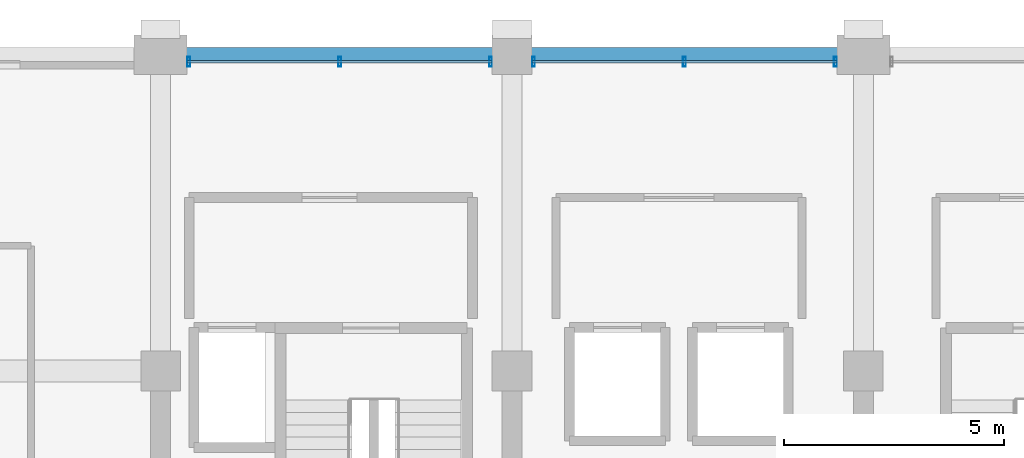
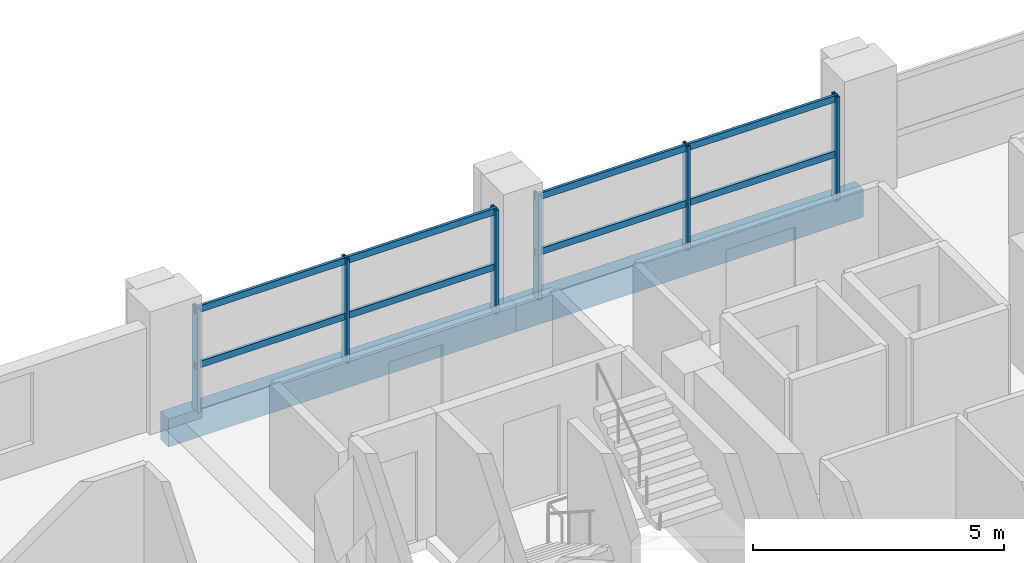
# One storey, part 10 of 21: 10 members, 2 beams, 2 elements without a shape of their own.
"""IFC4 building model written with IfcOpenShell, lengths in metres."""

from ifc_helpers import new_model, si_unit, direction, frame, origin, origin_2d, place, context, subcontext, project, spatial, rectangle, hollow_rectangle, extrude, material, material_profile, profile_set, type_object, element, aggregate, save


model = new_model("IFC4")

# Units and contexts
model_context = context("Model", 3, precision=1e-05, world=origin(), true_north=direction((0.0, 1.0)))
body_context = subcontext(model_context, "Body", "Model", "MODEL_VIEW")
ifc_project = project(units=[si_unit("LENGTHUNIT", "METRE"), si_unit("AREAUNIT", "SQUARE_METRE"), si_unit("VOLUMEUNIT", "CUBIC_METRE"), si_unit("PLANEANGLEUNIT", "RADIAN"), si_unit("MASSUNIT", "GRAM", prefix="KILO")], contexts=[model_context])

# Site, building, storey
site_placement = place(None, origin())
site = spatial("IfcSite", under=ifc_project, at=site_placement, CompositionType="ELEMENT")
building_placement = place(site_placement, origin())
building = spatial("IfcBuilding", under=site, at=building_placement, Name="Akrevak Sports Hall", CompositionType="ELEMENT")
storey_placement = place(building_placement, frame((0.0, 0.0, 27.550048828125)))
storey = spatial("IfcBuildingStorey", under=building, at=storey_placement, Name="L05", CompositionType="ELEMENT", Elevation=27.550048828125)

# Curtain wall, members
ifc_material_1 = material(Name="Anodized Bronze Aluminium & Low-E Glass", Category="aluminium")
curtain_wall_type = type_object("IfcCurtainWallType", Name="ARC-CW-TWR-68x30", PredefinedType="NOTDEFINED", material=ifc_material_1)
curtain_wall_1_placement = place(storey_placement, origin())
curtain_wall_1 = element("IfcCurtainWall", 1, at=curtain_wall_1_placement, inside=storey, type_object=curtain_wall_type, Name="Curtain Wall CW-L05-N24", PredefinedType="NOTDEFINED")
ifc_material_2 = material(Name="Anodized Bronze Aluminium", Category="aluminium")
ifc_material_profile_1 = material_profile(ifc_material_2, hollow_rectangle(XDim=0.06494140625, YDim=0.219970703125, WallThickness=0.00439453125, at=origin_2d()), Name="CWM 65x220", Category="aluminium")
ifc_profile_set_1 = profile_set([ifc_material_profile_1], Name="Anodized Bronze Aluminium")
member_type_1 = type_object("IfcMemberType", Name="ARC-CWM-70x160", PredefinedType="MULLION", material=ifc_profile_set_1)
member_1_placement = place(storey_placement, frame((75.360107421875, 69.43994140625, 0.0), z_axis=(0.0, 0.0, 1.0), x_axis=(-1.0, 0.0, 0.0)))
member_1 = element("IfcMember", 2, at=member_1_placement, type_object=member_type_1, Name="Curtain Wall Mullion CW-L05-N24-M1", PredefinedType="MULLION", context=body_context, shape_type="SweptSolid", body=[
    extrude(hollow_rectangle(XDim=0.06494140625, YDim=0.219970703125, WallThickness=0.00439453125, at=origin_2d()), origin(), (0.0, 0.0, 1.0), 2.530029296875),
])
member_2_placement = place(storey_placement, frame((71.925048828125, 69.43994140625, 0.0), z_axis=(0.0, 0.0, 1.0), x_axis=(-1.0, 0.0, 0.0)))
member_2 = element("IfcMember", 3, at=member_2_placement, type_object=member_type_1, Name="Curtain Wall Mullion CW-L05-N24-M2", PredefinedType="MULLION", context=body_context, shape_type="SweptSolid", body=[
    extrude(hollow_rectangle(XDim=0.06494140625, YDim=0.219970703125, WallThickness=0.00439453125, at=origin_2d()), origin(), (0.0, 0.0, 1.0), 2.530029296875),
])
member_3_placement = place(storey_placement, frame((68.489990234375, 69.43994140625, 0.0), z_axis=(0.0, 0.0, 1.0), x_axis=(-1.0, 0.0, 0.0)))
member_3 = element("IfcMember", 4, at=member_3_placement, type_object=member_type_1, Name="Curtain Wall Mullion CW-L05-N24-M3", PredefinedType="MULLION", context=body_context, shape_type="SweptSolid", body=[
    extrude(hollow_rectangle(XDim=0.06494140625, YDim=0.219970703125, WallThickness=0.00439453125, at=origin_2d()), origin(), (0.0, 0.0, 1.0), 2.530029296875),
])

curtain_wall_2_placement = place(storey_placement, origin())
curtain_wall_2 = element("IfcCurtainWall", 5, at=curtain_wall_2_placement, inside=storey, type_object=curtain_wall_type, Name="Curtain Wall CW-L05-N25", PredefinedType="NOTDEFINED")
member_4_placement = place(storey_placement, frame((67.510009765625, 69.43994140625, 0.0), z_axis=(0.0, 0.0, 1.0), x_axis=(-1.0, 0.0, 0.0)))
member_4 = element("IfcMember", 6, at=member_4_placement, type_object=member_type_1, Name="Curtain Wall Mullion CW-L05-N25-M1", PredefinedType="MULLION", context=body_context, shape_type="SweptSolid", body=[
    extrude(hollow_rectangle(XDim=0.06494140625, YDim=0.219970703125, WallThickness=0.00439453125, at=origin_2d()), origin(), (0.0, 0.0, 1.0), 2.530029296875),
])
member_5_placement = place(storey_placement, frame((64.074951171875, 69.43994140625, 0.0), z_axis=(0.0, 0.0, 1.0), x_axis=(-1.0, 0.0, 0.0)))
member_5 = element("IfcMember", 7, at=member_5_placement, type_object=member_type_1, Name="Curtain Wall Mullion CW-L05-N25-M2", PredefinedType="MULLION", context=body_context, shape_type="SweptSolid", body=[
    extrude(hollow_rectangle(XDim=0.06494140625, YDim=0.219970703125, WallThickness=0.00439453125, at=origin_2d()), origin(), (0.0, 0.0, 1.0), 2.530029296875),
])
member_6_placement = place(storey_placement, frame((60.639892578125, 69.43994140625, 0.0), z_axis=(0.0, 0.0, 1.0), x_axis=(-1.0, 0.0, 0.0)))
member_6 = element("IfcMember", 8, at=member_6_placement, type_object=member_type_1, Name="Curtain Wall Mullion CW-L05-N25-M3", PredefinedType="MULLION", context=body_context, shape_type="SweptSolid", body=[
    extrude(hollow_rectangle(XDim=0.06494140625, YDim=0.219970703125, WallThickness=0.00439453125, at=origin_2d()), origin(), (0.0, 0.0, 1.0), 2.530029296875),
])

# Member
ifc_material_profile_2 = material_profile(ifc_material_2, hollow_rectangle(XDim=0.06494140625, YDim=0.159912109375, WallThickness=0.00390625, at=origin_2d()), Name="CWT 65x160", Category="aluminium")
ifc_profile_set_2 = profile_set([ifc_material_profile_2], Name="Anodized Bronze Aluminium")
member_type_2 = type_object("IfcMemberType", Name="ARC-CWT-70x130", PredefinedType="USERDEFINED", material=ifc_profile_set_2)
member_7_placement = place(storey_placement, frame((75.39990234375, 69.43994140625, 1.099853515625), z_axis=(-1.0, 0.0, 0.0), x_axis=(0.0, -1.0, 0.0)))
member_7 = element("IfcMember", 9, at=member_7_placement, type_object=member_type_2, Name="Curtain Wall Transom CW-L05-N24-T1", ObjectType="TRANSOM", PredefinedType="USERDEFINED", context=body_context, shape_type="SweptSolid", body=[
    extrude(hollow_rectangle(XDim=0.06494140625, YDim=0.159912109375, WallThickness=0.00390625, at=origin_2d()), origin(), (0.0, 0.0, 1.0), 6.949951171875),
])

member_8_placement = place(storey_placement, frame((75.39990234375, 69.43994140625, 2.449951171875), z_axis=(-1.0, 0.0, 0.0), x_axis=(0.0, -1.0, 0.0)))
member_8 = element("IfcMember", 10, at=member_8_placement, type_object=member_type_2, Name="Curtain Wall Transom CW-L05-N24-T2", ObjectType="TRANSOM", PredefinedType="USERDEFINED", context=body_context, shape_type="SweptSolid", body=[
    extrude(hollow_rectangle(XDim=0.06494140625, YDim=0.159912109375, WallThickness=0.00390625, at=origin_2d()), origin(), (0.0, 0.0, 1.0), 6.949951171875),
])

aggregate(curtain_wall_1, [member_1, member_2, member_3, member_7, member_8])

member_9_placement = place(storey_placement, frame((67.550048828125, 69.43994140625, 1.099853515625), z_axis=(-1.0, 0.0, 0.0), x_axis=(0.0, -1.0, 0.0)))
member_9 = element("IfcMember", 11, at=member_9_placement, type_object=member_type_2, Name="Curtain Wall Transom CW-L05-N25-T1", ObjectType="TRANSOM", PredefinedType="USERDEFINED", context=body_context, shape_type="SweptSolid", body=[
    extrude(hollow_rectangle(XDim=0.06494140625, YDim=0.159912109375, WallThickness=0.00390625, at=origin_2d()), origin(), (0.0, 0.0, 1.0), 6.949951171875),
])

member_10_placement = place(storey_placement, frame((67.550048828125, 69.43994140625, 2.449951171875), z_axis=(-1.0, 0.0, 0.0), x_axis=(0.0, -1.0, 0.0)))
member_10 = element("IfcMember", 12, at=member_10_placement, type_object=member_type_2, Name="Curtain Wall Transom CW-L05-N25-T2", ObjectType="TRANSOM", PredefinedType="USERDEFINED", context=body_context, shape_type="SweptSolid", body=[
    extrude(hollow_rectangle(XDim=0.06494140625, YDim=0.159912109375, WallThickness=0.00390625, at=origin_2d()), origin(), (0.0, 0.0, 1.0), 6.949951171875),
])

aggregate(curtain_wall_2, [member_4, member_5, member_6, member_9, member_10])

# Beams
ifc_material_3 = material(Name="Concrete C40/50", Category="concrete")
ifc_material_profile_3 = material_profile(ifc_material_3, rectangle(XDim=0.320068359375, YDim=0.679931640625, at=origin_2d()), Name="SPD 320x680", Category="concrete")
ifc_profile_set_3 = profile_set([ifc_material_profile_3], Name="Concrete C40/50")
beam_type = type_object("IfcBeamType", Name="STR-SPD-RC320x680", PredefinedType="SPANDREL", material=ifc_profile_set_3)
for number, where, z_axis, x_axis, name in (
    (13, (60.0, 69.60009765625, -0.340087890625), (1.0, 0.0, 0.0), (0.0, 1.0, 0.0), "Girder K/9-10 (L05)"),
    (14, (68.0, 69.60009765625, -0.340087890625), (1.0, 0.0, 0.0), (0.0, 1.0, 0.0), "Girder K/10-11 (L05)"),
):
    element("IfcBeam", number, at=place(storey_placement, frame(where, z_axis=z_axis, x_axis=x_axis)), inside=storey, type_object=beam_type, Name=name, PredefinedType="SPANDREL", context=body_context, shape_type="SweptSolid", body=[
        extrude(rectangle(XDim=0.320068359375, YDim=0.679931640625, at=origin_2d()), origin(), (0.0, 0.0, 1.0), 8.0),
    ])

save(model, "model.ifc")
